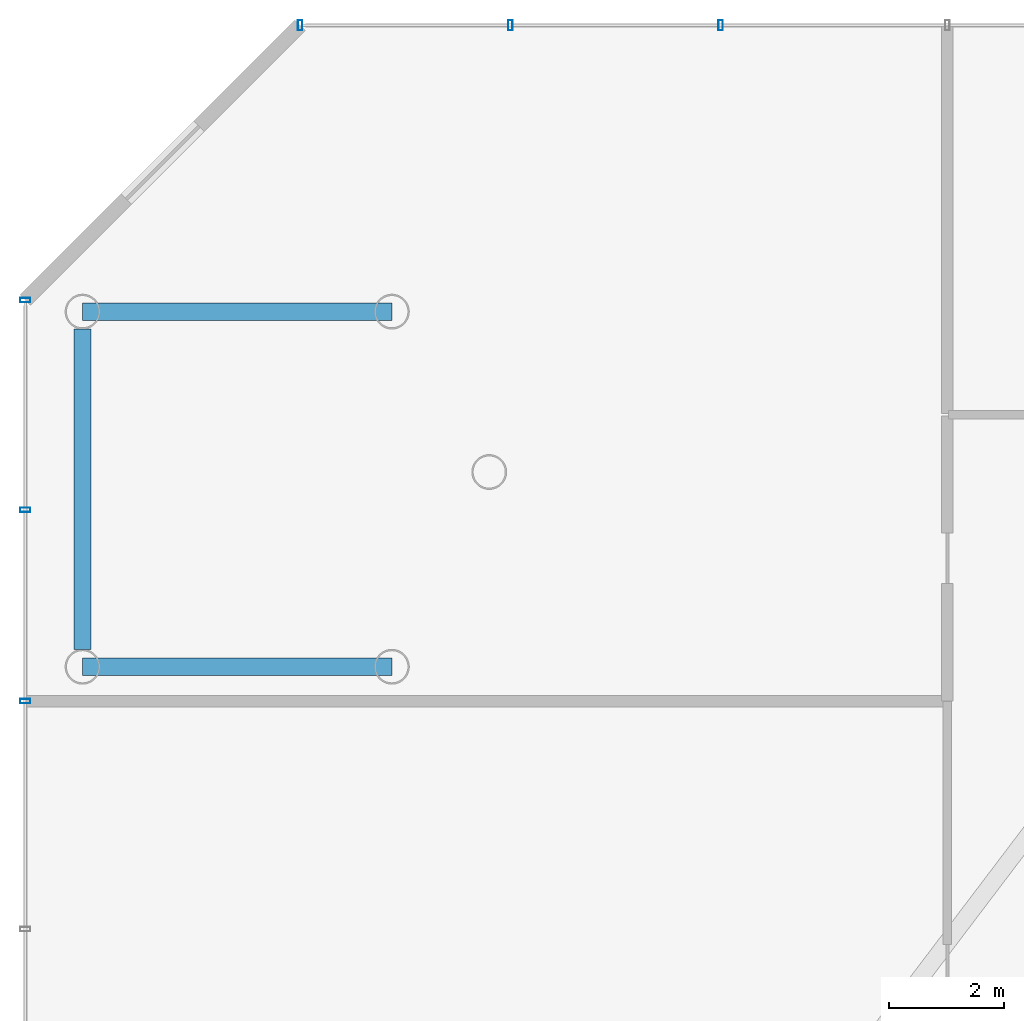
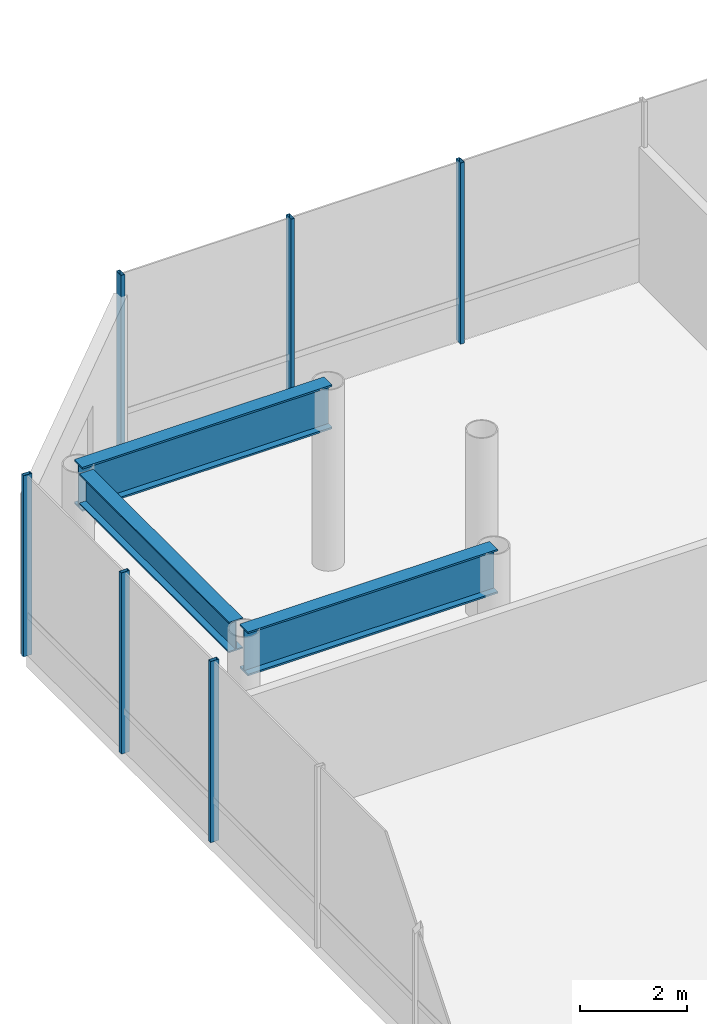
# One storey, part 17 of 37: 6 members, 3 beams, 2 elements without a shape of their own.
"""IFC4 building model written with IfcOpenShell, lengths in metres."""

import ifcopenshell
import ifcopenshell.guid

model = None  # the IFC model being written
_history = None  # IfcOwnerHistory: only IFC2X3 demands one
_inside = {}  # id of a spatial element -> (the spatial element, [elements in it])
_under = {}  # id of a project, library or spatial element -> (it, [spatial elements below it])
_declared = {}  # id of a project -> (the project, [libraries it declares])
_typed = {}  # id of a type object -> (the type object, [elements of that type])
_made_of = {}  # id of a material, layer set ... -> (it, [elements and type objects made of it])


def new_model(schema):
    """Start an empty IFC model of exactly this schema.

    Asked for "IFC4X3", IfcOpenShell would pick the latest addendum, in which some entities
    have other attributes; the version numbers below select the first issue.
    IFC2X3 requires an IfcOwnerHistory on every rooted entity: one is made here for all.
    """
    global model, _history
    if schema == "IFC4X3":
        model = ifcopenshell.file(schema_version=(4, 3, 0, 0))
    else:
        model = ifcopenshell.file(schema=schema)
    _inside.clear()
    _under.clear()
    _declared.clear()
    _typed.clear()
    _made_of.clear()
    _history = None
    if model.schema == "IFC2X3":
        org = make("IfcOrganization", Name="unknown")
        user = make(
            "IfcPersonAndOrganization",
            ThePerson=make("IfcPerson", FamilyName="unknown"),
            TheOrganization=org,
        )
        app = make(
            "IfcApplication",
            ApplicationDeveloper=org,
            Version="unknown",
            ApplicationFullName="unknown",
            ApplicationIdentifier="unknown",
        )
        _history = make(
            "IfcOwnerHistory",
            OwningUser=user,
            OwningApplication=app,
            ChangeAction="ADDED",
            CreationDate=0,
        )
    return model


def make(cls, **values):
    """One entity of the class cls with the attributes given. An attribute that is None is left unset."""
    return model.create_entity(
        cls, **{name: value for name, value in values.items() if value is not None}
    )


def rooted(cls, **values):
    """An entity with a GlobalId (a new one), such as an element, a storey or a relation."""
    return make(cls, GlobalId=ifcopenshell.guid.new(), OwnerHistory=_history, **values)


def si_unit(unit_type, name, prefix=None):
    """IfcSIUnit, for example si_unit("LENGTHUNIT", "METRE", prefix="MILLI")."""
    return make("IfcSIUnit", UnitType=unit_type, Prefix=prefix, Name=name)


def assignment(units):
    """IfcUnitAssignment: the units of a project."""
    return None if units is None else make("IfcUnitAssignment", Units=units)


def point(xyz):
    """IfcCartesianPoint."""
    return None if xyz is None else make("IfcCartesianPoint", Coordinates=xyz)


def direction(xyz):
    """IfcDirection."""
    return None if xyz is None else make("IfcDirection", DirectionRatios=xyz)


def frame(location, z_axis=None, x_axis=None):
    """IfcAxis2Placement3D, a coordinate frame: its origin and axes. An axis left out is left unset."""
    return make(
        "IfcAxis2Placement3D",
        Location=point(location),
        Axis=direction(z_axis),
        RefDirection=direction(x_axis),
    )


def frame_2d(location, x_axis=None):
    """IfcAxis2Placement2D, a coordinate frame in the plane: its origin and x axis."""
    return make(
        "IfcAxis2Placement2D", Location=point(location), RefDirection=direction(x_axis)
    )


def origin():
    """The frame at (0, 0, 0) with its axes left unset."""
    return frame((0.0, 0.0, 0.0))


def origin_2d():
    """The frame at (0, 0) in the plane with its x axis left unset."""
    return frame_2d((0.0, 0.0))


def place(relative_to, where):
    """IfcLocalPlacement: puts the frame where relative to a parent placement (None: the world)."""
    return make(
        "IfcLocalPlacement", PlacementRelTo=relative_to, RelativePlacement=where
    )


def context(
    kind, dimensions, precision=None, world=None, true_north=None, identifier=None
):
    """IfcGeometricRepresentationContext, for example the 3D "Model" context."""
    return make(
        "IfcGeometricRepresentationContext",
        ContextIdentifier=identifier,
        ContextType=kind,
        CoordinateSpaceDimension=dimensions,
        Precision=precision,
        WorldCoordinateSystem=world,
        TrueNorth=true_north,
    )


def subcontext(parent, identifier, kind, view, scale=None):
    """IfcGeometricRepresentationSubContext, for example "Body" below "Model"."""
    return make(
        "IfcGeometricRepresentationSubContext",
        ContextIdentifier=identifier,
        ContextType=kind,
        ParentContext=parent,
        TargetScale=scale,
        TargetView=view,
    )


def project(units=None, contexts=None):
    """IfcProject with its units and contexts."""
    return rooted(
        "IfcProject",
        Name="project",
        RepresentationContexts=contexts,
        UnitsInContext=assignment(units),
    )


def spatial(cls, under=None, at=None, **own):
    """A site, building, storey or space (cls), placed at a placement, below another one or the project."""
    s = rooted(cls, ObjectPlacement=at, **own)
    if under is not None:
        _under.setdefault(under.id(), (under, []))[1].append(s)
    return s


def profile(cls, at=None, kind="AREA", **sizes):
    """A parametric profile (cls). Its sizes go by their IFC names, for example OverallWidth=200.0."""
    return make(cls, ProfileType=kind, Position=at, **sizes)


def hollow_rectangle(**sizes):
    """IfcRectangleHollowProfileDef."""
    return profile("IfcRectangleHollowProfileDef", **sizes)


def i_section(**sizes):
    """IfcIShapeProfileDef."""
    return profile("IfcIShapeProfileDef", **sizes)


def extrude(swept, where, along, depth):
    """IfcExtrudedAreaSolid: the profile swept, set in the frame where, extruded along a direction by depth."""
    return make(
        "IfcExtrudedAreaSolid",
        SweptArea=swept,
        Position=where,
        ExtrudedDirection=direction(along),
        Depth=depth,
    )


def shape(context_of_items, identifier, shape_type, items):
    """IfcShapeRepresentation: the items that make up one representation, for example the "Body"."""
    return make(
        "IfcShapeRepresentation",
        ContextOfItems=context_of_items,
        RepresentationIdentifier=identifier,
        RepresentationType=shape_type,
        Items=items,
    )


def material(Name=None, Category=None):
    """IfcMaterial."""
    return make("IfcMaterial", Name=Name, Category=Category)


def layer(
    of_material, thickness, ventilated=None, Name=None, Category=None, Priority=None
):
    """IfcMaterialLayer: one layer of a wall or slab, of a material (None: an air gap)."""
    return make(
        "IfcMaterialLayer",
        Material=of_material,
        LayerThickness=thickness,
        IsVentilated=ventilated,
        Name=Name,
        Category=Category,
        Priority=Priority,
    )


def layer_set(layers, Name=None):
    """IfcMaterialLayerSet."""
    return make("IfcMaterialLayerSet", MaterialLayers=layers, LayerSetName=Name)


def material_profile(
    of_material, cross_section, Name=None, Category=None, Priority=None
):
    """IfcMaterialProfile: a cross section and its material."""
    return make(
        "IfcMaterialProfile",
        Name=Name,
        Material=of_material,
        Profile=cross_section,
        Priority=Priority,
        Category=Category,
    )


def profile_set(profiles, Name=None, composite=None):
    """IfcMaterialProfileSet."""
    return make(
        "IfcMaterialProfileSet",
        Name=Name,
        MaterialProfiles=profiles,
        CompositeProfile=composite,
    )


def made_of(thing, what):
    """Note that an element or type object is made of a material, layer set ...; save() writes the relation."""
    if what is not None:
        _made_of.setdefault(what.id(), (what, []))[1].append(thing)
    return thing


def type_object(cls, material=None, **own):
    """A type object (cls), such as IfcWallType, which elements share."""
    return made_of(rooted(cls, **own), material)


def element(
    cls,
    number,
    at=None,
    inside=None,
    cuts=None,
    type_object=None,
    material=None,
    context=None,
    identifier="Body",
    shape_type=None,
    held_by="IfcProductDefinitionShape",
    body=None,
    shapes=None,
    **own,
):
    """One element of the class cls, such as IfcWall. Its Tag is "e" and its number.

    at: its placement. inside: the storey or other place that contains it. cuts: it is an
    opening in that element (IfcRelVoidsElement). A single representation is given by context,
    identifier, shape_type and body (its items); several are given by shapes. held_by: the class
    of the entity that holds the representations. save() writes the other relations.
    """
    e = rooted(cls, Tag="e%d" % number, ObjectPlacement=at, **own)
    if body is not None:
        shapes = [shape(context, identifier, shape_type, body)]
    if shapes is not None:
        e.Representation = make(held_by, Representations=shapes)
    if inside is not None:
        _inside.setdefault(inside.id(), (inside, []))[1].append(e)
    if cuts is not None:
        rooted(
            "IfcRelVoidsElement", RelatingBuildingElement=cuts, RelatedOpeningElement=e
        )
    if type_object is not None:
        _typed.setdefault(type_object.id(), (type_object, []))[1].append(e)
    return made_of(e, material)


def aggregate(whole, parts):
    """IfcRelAggregates: a whole, such as a stair, and the parts it consists of."""
    return rooted("IfcRelAggregates", RelatingObject=whole, RelatedObjects=parts)


def save(model, path):
    """Write the relations noted so far, then the file.

    IfcRelAggregates (storeys below a building ...), IfcRelContainedInSpatialStructure (elements
    in a storey), IfcRelDefinesByType, IfcRelAssociatesMaterial and IfcRelDeclares: one each for
    every whole, place, type object, material and project.
    """
    for whole, parts in _under.values():
        aggregate(whole, parts)
    for where, things in _inside.values():
        rooted(
            "IfcRelContainedInSpatialStructure",
            RelatedElements=things,
            RelatingStructure=where,
        )
    for kind, things in _typed.values():
        rooted("IfcRelDefinesByType", RelatedObjects=things, RelatingType=kind)
    for what, things in _made_of.values():
        rooted("IfcRelAssociatesMaterial", RelatedObjects=things, RelatingMaterial=what)
    for by, libraries in _declared.values():
        rooted("IfcRelDeclares", RelatingContext=by, RelatedDefinitions=libraries)
    model.write(path)


model = new_model("IFC4")

# Units and contexts
model_context = context("Model", 3, precision=1e-05, world=origin(), true_north=direction((0.0, 1.0)))
body_context = subcontext(model_context, "Body", "Model", "MODEL_VIEW")
ifc_project = project(units=[si_unit("LENGTHUNIT", "METRE"), si_unit("AREAUNIT", "SQUARE_METRE"), si_unit("VOLUMEUNIT", "CUBIC_METRE"), si_unit("PLANEANGLEUNIT", "RADIAN"), si_unit("MASSUNIT", "GRAM", prefix="KILO")], contexts=[model_context])

# Site, building, storey
site_placement = place(None, origin())
site = spatial("IfcSite", under=ifc_project, at=site_placement, CompositionType="ELEMENT")
building_placement = place(site_placement, origin())
building = spatial("IfcBuilding", under=site, at=building_placement, Name="Zarrinselat Tower", CompositionType="ELEMENT")
storey_placement = place(building_placement, frame((0.0, 0.0, 9.52001953125)))
storey = spatial("IfcBuildingStorey", under=building, at=storey_placement, Name="L02", CompositionType="ELEMENT", Elevation=9.52001953125)

# Beams
ifc_material_1 = material(Name="Steel S355J2", Category="steel")
ifc_material_profile_1 = material_profile(ifc_material_1, i_section(OverallWidth=0.300048828125, OverallDepth=0.699951171875, WebThickness=0.01708984375, FlangeThickness=0.031982421875, at=origin_2d()), Name="HEB 700")
ifc_profile_set_1 = profile_set([ifc_material_profile_1], Name="Steel S355J2")
beam_type_1 = type_object("IfcBeamType", Name="BM-HEB700", PredefinedType="SPANDREL", material=ifc_profile_set_1)
beam_placement = place(storey_placement, frame((3.39990234375, 40.89990234375, 3.7900390625), z_axis=(0.0, 1.0, 0.0), x_axis=(-1.0, 0.0, 0.0)))
element("IfcBeam", 1, at=beam_placement, inside=storey, type_object=beam_type_1, Name="L02 Podium Perimeter Beam W-40", PredefinedType="SPANDREL", context=body_context, shape_type="SweptSolid", body=[
    extrude(i_section(OverallWidth=0.300048828125, OverallDepth=0.699951171875, WebThickness=0.01708984375, FlangeThickness=0.031982421875, at=origin_2d()), origin(), (0.0, 0.0, 1.0), 5.60009765625),
])
ifc_material_2 = material(Name="Steel S460M", Category="steel")
ifc_material_profile_2 = material_profile(ifc_material_2, i_section(OverallWidth=0.302001953125, OverallDepth=1.008056640625, WebThickness=0.02099609375, FlangeThickness=0.0400390625, at=origin_2d()), Name="HEM 1000")
ifc_profile_set_2 = profile_set([ifc_material_profile_2], Name="Steel S460M")
beam_type_2 = type_object("IfcBeamType", Name="BM-PDTR-HEM1000", PredefinedType="BEAM", material=ifc_profile_set_2)
for number, where, z_axis, x_axis, name in (
    (2, (3.39990234375, 40.60009765625, 3.635986328125), (1.0, 0.0, 0.0), (0.0, 1.0, 0.0), "L02 Podium Transfer Girder W-40"),
    (3, (3.39990234375, 46.800048828125, 3.635986328125), (1.0, 0.0, 0.0), (0.0, 1.0, 0.0), "L02 Podium Transfer Girder W-46"),
):
    element("IfcBeam", number, at=place(storey_placement, frame(where, z_axis=z_axis, x_axis=x_axis)), inside=storey, type_object=beam_type_2, Name=name, PredefinedType="BEAM", context=body_context, shape_type="SweptSolid", body=[
        extrude(i_section(OverallWidth=0.302001953125, OverallDepth=1.008056640625, WebThickness=0.02099609375, FlangeThickness=0.0400390625, at=origin_2d()), origin(), (0.0, 0.0, 1.0), 5.400146484375),
    ])

# Curtain wall, members
ifc_material_3 = material(Name="Extruded Aluminium Alloy EN AW-6063 T6", Category="aluminium")
ifc_layer = layer(ifc_material_3, 0.2099609375)
ifc_layer_set = layer_set([ifc_layer], Name="Extruded Aluminium Alloy EN AW-6063 T6")
curtain_wall_type = type_object("IfcCurtainWallType", Name="CWS-POD", PredefinedType="NOTDEFINED", material=ifc_layer_set)
curtain_wall_1_placement = place(storey_placement, origin())
curtain_wall_1 = element("IfcCurtainWall", 4, at=curtain_wall_1_placement, inside=storey, type_object=curtain_wall_type, Name="L02 Unitised Curtain Wall CW-L02-F5", PredefinedType="NOTDEFINED")
ifc_material_4 = material(Name="Extruded Aluminium Alloy EN AW-6063 T6", Category="aluminium")
ifc_material_profile_3 = material_profile(ifc_material_4, hollow_rectangle(XDim=0.080078125, YDim=0.179931640625, WallThickness=0.0048828125, at=origin_2d()), Name="RHS 180x80x5")
ifc_profile_set_3 = profile_set([ifc_material_profile_3], Name="Extruded Aluminium Alloy EN AW-6063 T6")
member_type = type_object("IfcMemberType", Name="MEM-CW-MUL", PredefinedType="MULLION", material=ifc_profile_set_3)
member_1_placement = place(storey_placement, frame((14.541259765625, 51.800048828125, 0.0), z_axis=(0.0, 0.0, 1.0), x_axis=(-1.0, 0.0, 0.0)))
member_1 = element("IfcMember", 5, at=member_1_placement, type_object=member_type, Name="CW-L02-F5 Mullion 16", PredefinedType="MULLION", context=body_context, shape_type="SweptSolid", body=[
    extrude(hollow_rectangle(XDim=0.080078125, YDim=0.179931640625, WallThickness=0.0048828125, at=origin_2d()), origin(), (0.0, 0.0, 1.0), 4.139892578125),
])
member_2_placement = place(storey_placement, frame((10.87060546875, 51.800048828125, 0.0), z_axis=(0.0, 0.0, 1.0), x_axis=(-1.0, 0.0, 0.0)))
member_2 = element("IfcMember", 6, at=member_2_placement, type_object=member_type, Name="CW-L02-F5 Mullion 17", PredefinedType="MULLION", context=body_context, shape_type="SweptSolid", body=[
    extrude(hollow_rectangle(XDim=0.080078125, YDim=0.179931640625, WallThickness=0.0048828125, at=origin_2d()), origin(), (0.0, 0.0, 1.0), 4.139892578125),
])
member_3_placement = place(storey_placement, frame((7.199951171875, 51.800048828125, 0.0), z_axis=(0.0, 0.0, 1.0), x_axis=(-1.0, 0.0, 0.0)))
member_3 = element("IfcMember", 7, at=member_3_placement, type_object=member_type, Name="CW-L02-F5 Mullion 18", PredefinedType="MULLION", context=body_context, shape_type="SweptSolid", body=[
    extrude(hollow_rectangle(XDim=0.080078125, YDim=0.179931640625, WallThickness=0.0048828125, at=origin_2d()), origin(), (0.0, 0.0, 1.0), 4.139892578125),
])
aggregate(curtain_wall_1, [member_1, member_2, member_3])

curtain_wall_2_placement = place(storey_placement, origin())
curtain_wall_2 = element("IfcCurtainWall", 8, at=curtain_wall_2_placement, inside=storey, type_object=curtain_wall_type, Name="L02 Unitised Curtain Wall CW-L02-F7", PredefinedType="NOTDEFINED")
member_4_placement = place(storey_placement, frame((2.39990234375, 47.0, 0.0), z_axis=(0.0, 0.0, 1.0), x_axis=(0.0, -1.0, 0.0)))
member_4 = element("IfcMember", 9, at=member_4_placement, type_object=member_type, Name="CW-L02-F7 Mullion 0", PredefinedType="MULLION", context=body_context, shape_type="SweptSolid", body=[
    extrude(hollow_rectangle(XDim=0.080078125, YDim=0.179931640625, WallThickness=0.0048828125, at=origin_2d()), origin(), (0.0, 0.0, 1.0), 4.139892578125),
])
member_5_placement = place(storey_placement, frame((2.39990234375, 43.340087890625, 0.0), z_axis=(0.0, 0.0, 1.0), x_axis=(0.0, -1.0, 0.0)))
member_5 = element("IfcMember", 10, at=member_5_placement, type_object=member_type, Name="CW-L02-F7 Mullion 1", PredefinedType="MULLION", context=body_context, shape_type="SweptSolid", body=[
    extrude(hollow_rectangle(XDim=0.080078125, YDim=0.179931640625, WallThickness=0.0048828125, at=origin_2d()), origin(), (0.0, 0.0, 1.0), 4.139892578125),
])
member_6_placement = place(storey_placement, frame((2.39990234375, 40.0, 0.0), z_axis=(0.0, 0.0, 1.0), x_axis=(0.0, -1.0, 0.0)))
member_6 = element("IfcMember", 11, at=member_6_placement, type_object=member_type, Name="CW-L02-F7 Mullion 2", PredefinedType="MULLION", context=body_context, shape_type="SweptSolid", body=[
    extrude(hollow_rectangle(XDim=0.080078125, YDim=0.179931640625, WallThickness=0.0048828125, at=origin_2d()), origin(), (0.0, 0.0, 1.0), 4.139892578125),
])
aggregate(curtain_wall_2, [member_4, member_5, member_6])

save(model, "model.ifc")
